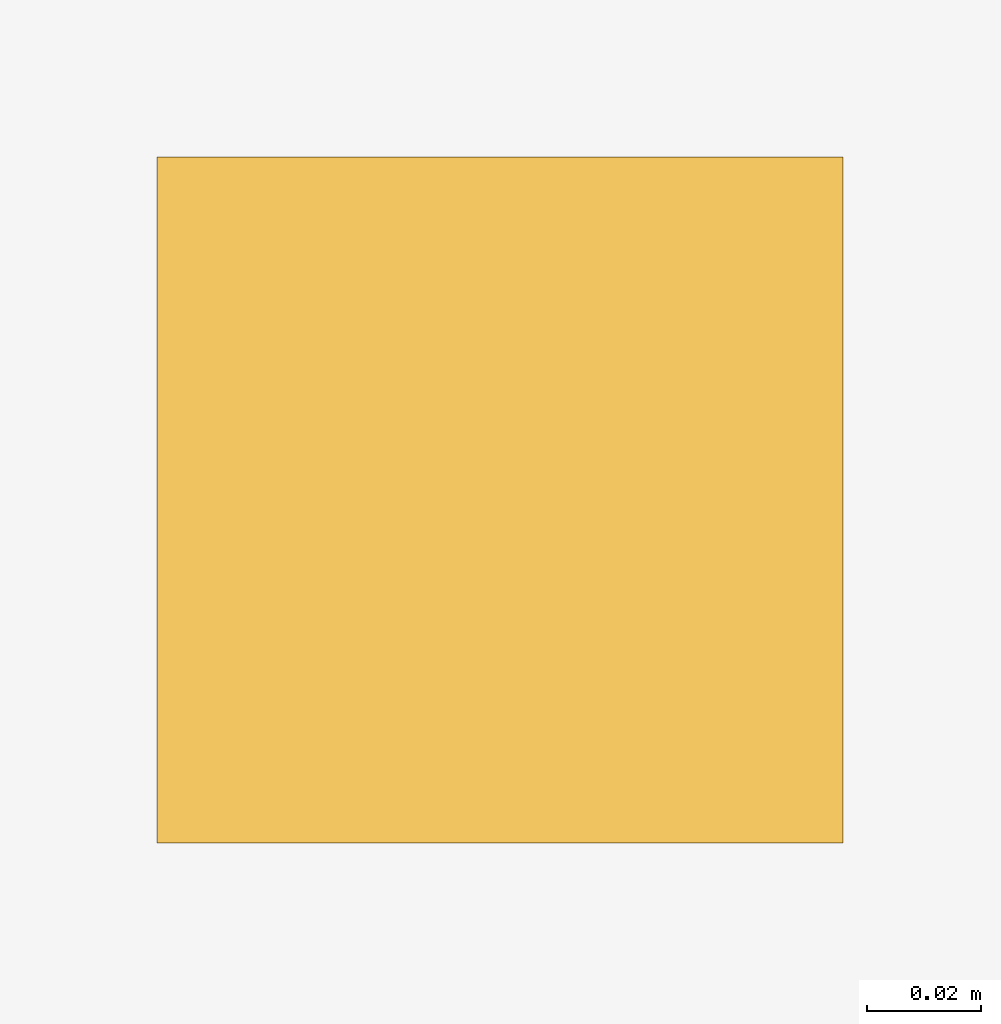
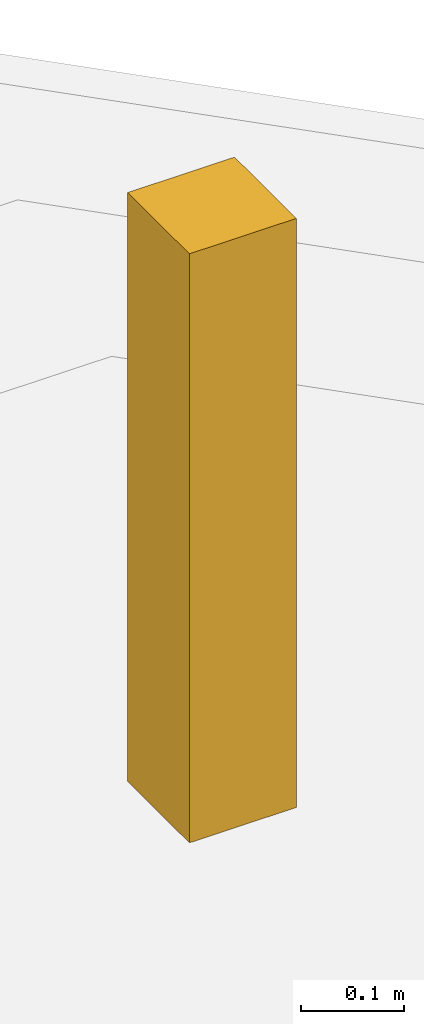
# One storey, part 19 of 20: 1 covering.
"""IFC4 building model written with IfcOpenShell, lengths in metres."""

import ifcopenshell
import ifcopenshell.guid

model = None  # the IFC model being written
_history = None  # IfcOwnerHistory: only IFC2X3 demands one
_inside = {}  # id of a spatial element -> (the spatial element, [elements in it])
_under = {}  # id of a project, library or spatial element -> (it, [spatial elements below it])
_declared = {}  # id of a project -> (the project, [libraries it declares])
_typed = {}  # id of a type object -> (the type object, [elements of that type])
_made_of = {}  # id of a material, layer set ... -> (it, [elements and type objects made of it])


def new_model(schema):
    """Start an empty IFC model of exactly this schema.

    Asked for "IFC4X3", IfcOpenShell would pick the latest addendum, in which some entities
    have other attributes; the version numbers below select the first issue.
    IFC2X3 requires an IfcOwnerHistory on every rooted entity: one is made here for all.
    """
    global model, _history
    if schema == "IFC4X3":
        model = ifcopenshell.file(schema_version=(4, 3, 0, 0))
    else:
        model = ifcopenshell.file(schema=schema)
    _inside.clear()
    _under.clear()
    _declared.clear()
    _typed.clear()
    _made_of.clear()
    _history = None
    if model.schema == "IFC2X3":
        org = make("IfcOrganization", Name="unknown")
        user = make(
            "IfcPersonAndOrganization",
            ThePerson=make("IfcPerson", FamilyName="unknown"),
            TheOrganization=org,
        )
        app = make(
            "IfcApplication",
            ApplicationDeveloper=org,
            Version="unknown",
            ApplicationFullName="unknown",
            ApplicationIdentifier="unknown",
        )
        _history = make(
            "IfcOwnerHistory",
            OwningUser=user,
            OwningApplication=app,
            ChangeAction="ADDED",
            CreationDate=0,
        )
    return model


def make(cls, **values):
    """One entity of the class cls with the attributes given. An attribute that is None is left unset."""
    return model.create_entity(
        cls, **{name: value for name, value in values.items() if value is not None}
    )


def rooted(cls, **values):
    """An entity with a GlobalId (a new one), such as an element, a storey or a relation."""
    return make(cls, GlobalId=ifcopenshell.guid.new(), OwnerHistory=_history, **values)


def si_unit(unit_type, name, prefix=None):
    """IfcSIUnit, for example si_unit("LENGTHUNIT", "METRE", prefix="MILLI")."""
    return make("IfcSIUnit", UnitType=unit_type, Prefix=prefix, Name=name)


def assignment(units):
    """IfcUnitAssignment: the units of a project."""
    return None if units is None else make("IfcUnitAssignment", Units=units)


def point(xyz):
    """IfcCartesianPoint."""
    return None if xyz is None else make("IfcCartesianPoint", Coordinates=xyz)


def direction(xyz):
    """IfcDirection."""
    return None if xyz is None else make("IfcDirection", DirectionRatios=xyz)


def frame(location, z_axis=None, x_axis=None):
    """IfcAxis2Placement3D, a coordinate frame: its origin and axes. An axis left out is left unset."""
    return make(
        "IfcAxis2Placement3D",
        Location=point(location),
        Axis=direction(z_axis),
        RefDirection=direction(x_axis),
    )


def frame_2d(location, x_axis=None):
    """IfcAxis2Placement2D, a coordinate frame in the plane: its origin and x axis."""
    return make(
        "IfcAxis2Placement2D", Location=point(location), RefDirection=direction(x_axis)
    )


def origin():
    """The frame at (0, 0, 0) with its axes left unset."""
    return frame((0.0, 0.0, 0.0))


def origin_2d():
    """The frame at (0, 0) in the plane with its x axis left unset."""
    return frame_2d((0.0, 0.0))


def place(relative_to, where):
    """IfcLocalPlacement: puts the frame where relative to a parent placement (None: the world)."""
    return make(
        "IfcLocalPlacement", PlacementRelTo=relative_to, RelativePlacement=where
    )


def context(
    kind, dimensions, precision=None, world=None, true_north=None, identifier=None
):
    """IfcGeometricRepresentationContext, for example the 3D "Model" context."""
    return make(
        "IfcGeometricRepresentationContext",
        ContextIdentifier=identifier,
        ContextType=kind,
        CoordinateSpaceDimension=dimensions,
        Precision=precision,
        WorldCoordinateSystem=world,
        TrueNorth=true_north,
    )


def subcontext(parent, identifier, kind, view, scale=None):
    """IfcGeometricRepresentationSubContext, for example "Body" below "Model"."""
    return make(
        "IfcGeometricRepresentationSubContext",
        ContextIdentifier=identifier,
        ContextType=kind,
        ParentContext=parent,
        TargetScale=scale,
        TargetView=view,
    )


def project(units=None, contexts=None):
    """IfcProject with its units and contexts."""
    return rooted(
        "IfcProject",
        Name="project",
        RepresentationContexts=contexts,
        UnitsInContext=assignment(units),
    )


def spatial(cls, under=None, at=None, **own):
    """A site, building, storey or space (cls), placed at a placement, below another one or the project."""
    s = rooted(cls, ObjectPlacement=at, **own)
    if under is not None:
        _under.setdefault(under.id(), (under, []))[1].append(s)
    return s


def profile(cls, at=None, kind="AREA", **sizes):
    """A parametric profile (cls). Its sizes go by their IFC names, for example OverallWidth=200.0."""
    return make(cls, ProfileType=kind, Position=at, **sizes)


def rectangle(**sizes):
    """IfcRectangleProfileDef."""
    return profile("IfcRectangleProfileDef", **sizes)


def extrude(swept, where, along, depth):
    """IfcExtrudedAreaSolid: the profile swept, set in the frame where, extruded along a direction by depth."""
    return make(
        "IfcExtrudedAreaSolid",
        SweptArea=swept,
        Position=where,
        ExtrudedDirection=direction(along),
        Depth=depth,
    )


def shape(context_of_items, identifier, shape_type, items):
    """IfcShapeRepresentation: the items that make up one representation, for example the "Body"."""
    return make(
        "IfcShapeRepresentation",
        ContextOfItems=context_of_items,
        RepresentationIdentifier=identifier,
        RepresentationType=shape_type,
        Items=items,
    )


def material(Name=None, Category=None):
    """IfcMaterial."""
    return make("IfcMaterial", Name=Name, Category=Category)


def made_of(thing, what):
    """Note that an element or type object is made of a material, layer set ...; save() writes the relation."""
    if what is not None:
        _made_of.setdefault(what.id(), (what, []))[1].append(thing)
    return thing


def type_object(cls, material=None, **own):
    """A type object (cls), such as IfcWallType, which elements share."""
    return made_of(rooted(cls, **own), material)


def element(
    cls,
    number,
    at=None,
    inside=None,
    cuts=None,
    type_object=None,
    material=None,
    context=None,
    identifier="Body",
    shape_type=None,
    held_by="IfcProductDefinitionShape",
    body=None,
    shapes=None,
    **own,
):
    """One element of the class cls, such as IfcWall. Its Tag is "e" and its number.

    at: its placement. inside: the storey or other place that contains it. cuts: it is an
    opening in that element (IfcRelVoidsElement). A single representation is given by context,
    identifier, shape_type and body (its items); several are given by shapes. held_by: the class
    of the entity that holds the representations. save() writes the other relations.
    """
    e = rooted(cls, Tag="e%d" % number, ObjectPlacement=at, **own)
    if body is not None:
        shapes = [shape(context, identifier, shape_type, body)]
    if shapes is not None:
        e.Representation = make(held_by, Representations=shapes)
    if inside is not None:
        _inside.setdefault(inside.id(), (inside, []))[1].append(e)
    if cuts is not None:
        rooted(
            "IfcRelVoidsElement", RelatingBuildingElement=cuts, RelatedOpeningElement=e
        )
    if type_object is not None:
        _typed.setdefault(type_object.id(), (type_object, []))[1].append(e)
    return made_of(e, material)


def aggregate(whole, parts):
    """IfcRelAggregates: a whole, such as a stair, and the parts it consists of."""
    return rooted("IfcRelAggregates", RelatingObject=whole, RelatedObjects=parts)


def save(model, path):
    """Write the relations noted so far, then the file.

    IfcRelAggregates (storeys below a building ...), IfcRelContainedInSpatialStructure (elements
    in a storey), IfcRelDefinesByType, IfcRelAssociatesMaterial and IfcRelDeclares: one each for
    every whole, place, type object, material and project.
    """
    for whole, parts in _under.values():
        aggregate(whole, parts)
    for where, things in _inside.values():
        rooted(
            "IfcRelContainedInSpatialStructure",
            RelatedElements=things,
            RelatingStructure=where,
        )
    for kind, things in _typed.values():
        rooted("IfcRelDefinesByType", RelatedObjects=things, RelatingType=kind)
    for what, things in _made_of.values():
        rooted("IfcRelAssociatesMaterial", RelatedObjects=things, RelatingMaterial=what)
    for by, libraries in _declared.values():
        rooted("IfcRelDeclares", RelatingContext=by, RelatedDefinitions=libraries)
    model.write(path)


model = new_model("IFC4")

# Units and contexts
model_context = context("Model", 3, precision=1e-05, world=origin(), true_north=direction((0.0, 1.0)))
body_context = subcontext(model_context, "Body", "Model", "MODEL_VIEW")
ifc_project = project(units=[si_unit("LENGTHUNIT", "METRE"), si_unit("AREAUNIT", "SQUARE_METRE"), si_unit("VOLUMEUNIT", "CUBIC_METRE"), si_unit("PLANEANGLEUNIT", "RADIAN"), si_unit("MASSUNIT", "GRAM", prefix="KILO")], contexts=[model_context])

# Site, building, storey
site_placement = place(None, origin())
site = spatial("IfcSite", under=ifc_project, at=site_placement, CompositionType="ELEMENT")
building_placement = place(site_placement, origin())
building = spatial("IfcBuilding", under=site, at=building_placement, Name="Noorbagh Ring Tower", CompositionType="ELEMENT")
storey_placement = place(building_placement, frame((0.0, 0.0, 34.5)))
storey = spatial("IfcBuildingStorey", under=building, at=storey_placement, Name="L06", CompositionType="ELEMENT", Elevation=34.5)

# Covering
ifc_material = material(Name="Brass finial")
covering_type = type_object("IfcCoveringType", Name="STY-FINIAL", PredefinedType="ROOFING", material=ifc_material)
covering_placement = place(storey_placement, frame((0.0, 34.0, 1.5), z_axis=(0.0, 0.0, 1.0), x_axis=(1.0, 0.0, 0.0)))
element("IfcCovering", 1, at=covering_placement, inside=storey, type_object=covering_type, Name="Chhatri 3 finial", PredefinedType="ROOFING", context=body_context, shape_type="SweptSolid", body=[
    extrude(rectangle(XDim=0.1201171875, YDim=0.1201171875, at=origin_2d()), origin(), (0.0, 0.0, 1.0), 0.699951171875),
])

save(model, "model.ifc")
